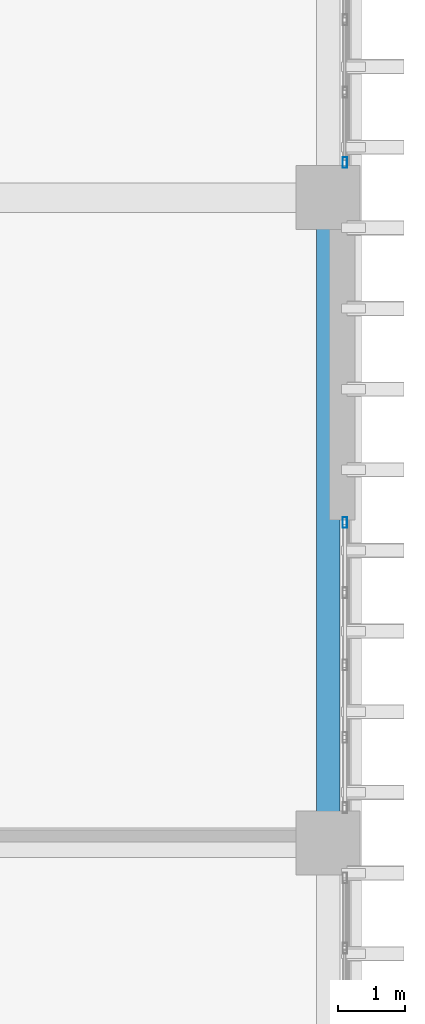
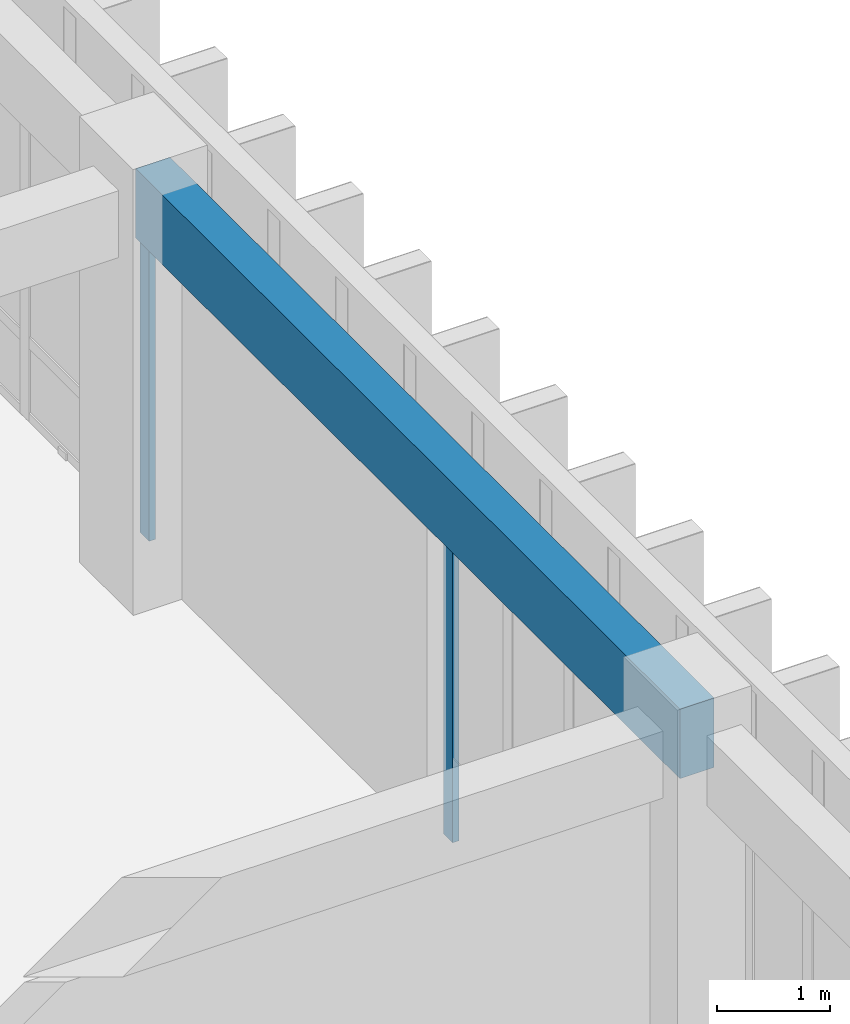
# One storey, part 60 of 133: 2 members, 1 beam, 2 elements without a shape of their own.
"""IFC4 building model written with IfcOpenShell, lengths in metres."""

from ifc_helpers import new_model, si_unit, direction, frame, origin, origin_2d, place, context, subcontext, project, spatial, rectangle, hollow_rectangle, extrude, material, layer, layer_set, material_profile, profile_set, type_object, element, aggregate, save


model = new_model("IFC4")

# Units and contexts
model_context = context("Model", 3, precision=1e-05, world=origin(), true_north=direction((0.0, 1.0)))
body_context = subcontext(model_context, "Body", "Model", "MODEL_VIEW")
ifc_project = project(units=[si_unit("LENGTHUNIT", "METRE"), si_unit("AREAUNIT", "SQUARE_METRE"), si_unit("VOLUMEUNIT", "CUBIC_METRE"), si_unit("PLANEANGLEUNIT", "RADIAN"), si_unit("MASSUNIT", "GRAM", prefix="KILO")], contexts=[model_context])

# Site, building, storey
site_placement = place(None, origin())
site = spatial("IfcSite", under=ifc_project, at=site_placement, CompositionType="ELEMENT")
building_placement = place(site_placement, origin())
building = spatial("IfcBuilding", under=site, at=building_placement, Name="Nakhvara Creek Congress Hotel", CompositionType="ELEMENT")
storey_placement = place(building_placement, frame((0.0, 0.0, 11.39990234375)))
storey = spatial("IfcBuildingStorey", under=building, at=storey_placement, Name="L02", CompositionType="ELEMENT", Elevation=11.39990234375)

# Beam
ifc_material_1 = material(Name="Concrete C40/50", Category="concrete")
ifc_material_profile_1 = material_profile(ifc_material_1, rectangle(XDim=0.35009765625, YDim=0.75, at=origin_2d()), Name="RC-SPANDREL 350x750", Category="LoadBearing")
ifc_profile_set_1 = profile_set([ifc_material_profile_1], Name="Concrete C40/50")
beam_type = type_object("IfcBeamType", Name="BM-SPN-350X750", PredefinedType="SPANDREL", material=ifc_profile_set_1)
beam_placement = place(storey_placement, frame((179.35009765625, 19.199951171875, 4.045166015625), z_axis=(0.0, 1.0, 0.0), x_axis=(-1.0, 0.0, 0.0)))
element("IfcBeam", 1, at=beam_placement, inside=storey, type_object=beam_type, Name="Beam SP1-L02-1653", PredefinedType="SPANDREL", context=body_context, shape_type="SweptSolid", body=[
    extrude(rectangle(XDim=0.35009765625, YDim=0.75, at=origin_2d()), origin(), (0.0, 0.0, 1.0), 9.60009765625),
])

# Curtain wall, member
ifc_material_2 = material(Name="Bronze-anodised aluminium AW-6063-T6 and double-silver low-E glass", Category="aluminium")
ifc_layer = layer(ifc_material_2, 0.199951171875)
ifc_layer_set = layer_set([ifc_layer], Name="Bronze-anodised aluminium AW-6063-T6 and double-silver low-E glass")
curtain_wall_type = type_object("IfcCurtainWallType", Name="CW-HTL-UNIT", PredefinedType="USERDEFINED", material=ifc_layer_set)
curtain_wall_1_placement = place(storey_placement, origin())
curtain_wall_1 = element("IfcCurtainWall", 2, at=curtain_wall_1_placement, inside=storey, type_object=curtain_wall_type, Name="Curtain Wall CW131", ObjectType="UNITISED", PredefinedType="USERDEFINED")
ifc_material_3 = material(Name="Bronze-anodised aluminium AW-6063-T6", Category="aluminium")
ifc_material_profile_2 = material_profile(ifc_material_3, hollow_rectangle(XDim=0.06494140625, YDim=0.159912109375, WallThickness=0.00390625, at=origin_2d()), Name="ALU-MULL 65x160x4", Category="LoadBearing")
ifc_profile_set_2 = profile_set([ifc_material_profile_2], Name="Bronze-anodised aluminium AW-6063-T6")
member_type = type_object("IfcMemberType", Name="CW-MULL-160", PredefinedType="MULLION", material=ifc_profile_set_2)
member_1_placement = place(storey_placement, frame((179.60009765625, 23.967529296875, 0.0), z_axis=(0.0, 0.0, 1.0), x_axis=(1.0, 0.0, 0.0)))
member_1 = element("IfcMember", 3, at=member_1_placement, type_object=member_type, Name="CW131 mullion 1", PredefinedType="MULLION", context=body_context, shape_type="SweptSolid", body=[
    extrude(hollow_rectangle(XDim=0.06494140625, YDim=0.159912109375, WallThickness=0.00390625, at=origin_2d()), origin(), (0.0, 0.0, 1.0), 3.662109375),
])
aggregate(curtain_wall_1, [member_1])

curtain_wall_2_placement = place(storey_placement, origin())
curtain_wall_2 = element("IfcCurtainWall", 4, at=curtain_wall_2_placement, inside=storey, type_object=curtain_wall_type, Name="Curtain Wall CW132", ObjectType="UNITISED", PredefinedType="USERDEFINED")
member_2_placement = place(storey_placement, frame((179.60009765625, 29.322509765625, 0.0), z_axis=(0.0, 0.0, 1.0), x_axis=(1.0, 0.0, 0.0)))
member_2 = element("IfcMember", 5, at=member_2_placement, type_object=member_type, Name="CW132 mullion 5", PredefinedType="MULLION", context=body_context, shape_type="SweptSolid", body=[
    extrude(hollow_rectangle(XDim=0.06494140625, YDim=0.159912109375, WallThickness=0.00390625, at=origin_2d()), origin(), (0.0, 0.0, 1.0), 3.662109375),
])
aggregate(curtain_wall_2, [member_2])

save(model, "model.ifc")
